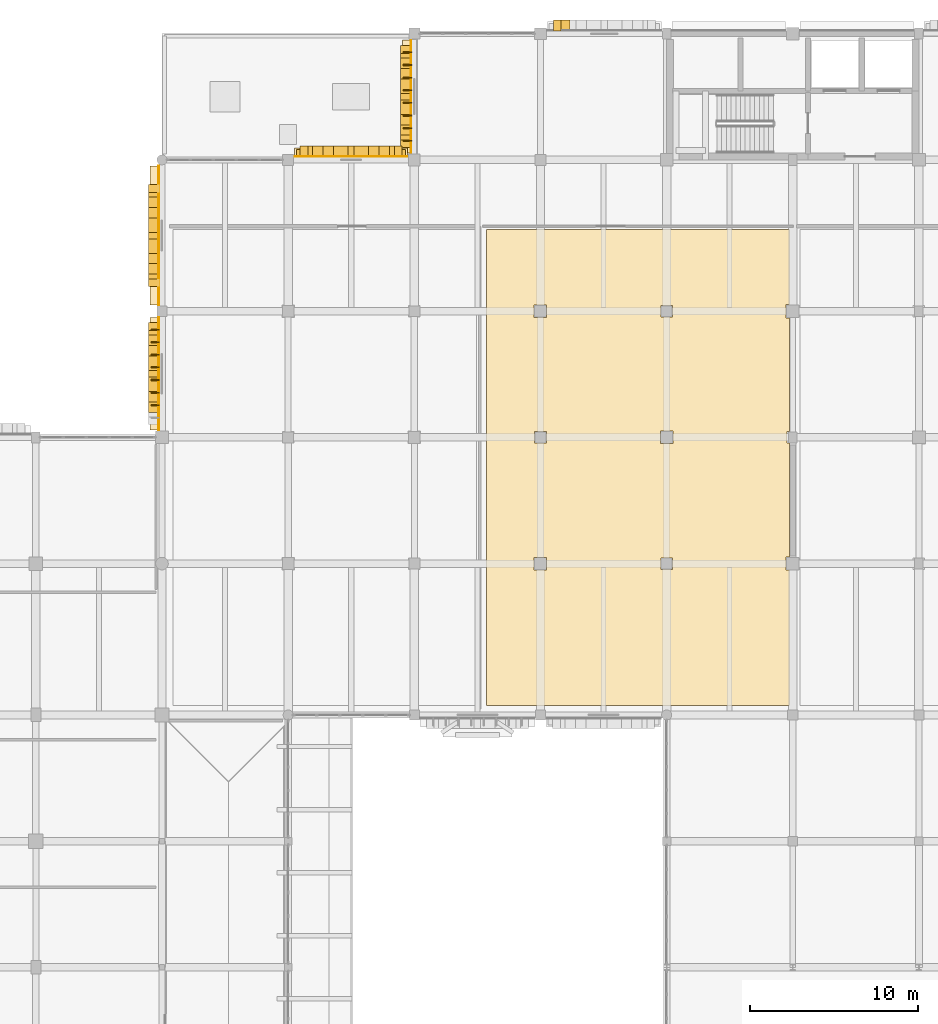
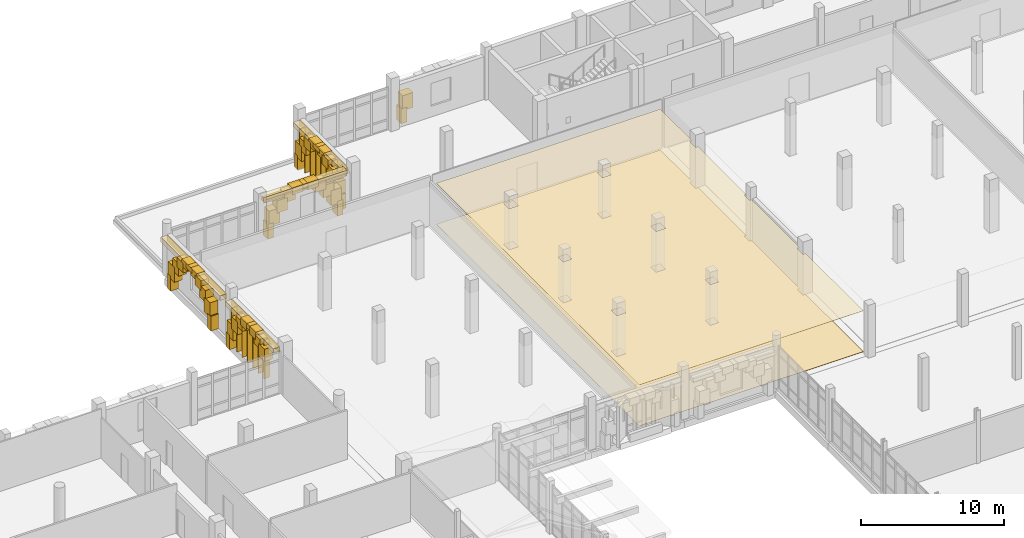
# One storey, part 117 of 128: 54 coverings, 16 shading devices.
"""IFC4 building model written with IfcOpenShell, lengths in metres."""

from ifc_helpers import new_model, si_unit, direction, frame, origin, origin_2d, place, context, subcontext, project, spatial, polyline, rectangle, outline, extrude, material, layer, layer_set, type_object, element, save


model = new_model("IFC4")

# Units and contexts
model_context = context("Model", 3, precision=1e-05, world=origin(), true_north=direction((0.0, 1.0)))
body_context = subcontext(model_context, "Body", "Model", "MODEL_VIEW")
ifc_project = project(units=[si_unit("LENGTHUNIT", "METRE"), si_unit("AREAUNIT", "SQUARE_METRE"), si_unit("VOLUMEUNIT", "CUBIC_METRE"), si_unit("PLANEANGLEUNIT", "RADIAN"), si_unit("MASSUNIT", "GRAM", prefix="KILO")], contexts=[model_context])

# Site, building, storey
site_placement = place(None, origin())
site = spatial("IfcSite", under=ifc_project, at=site_placement, CompositionType="ELEMENT")
building_placement = place(site_placement, origin())
building = spatial("IfcBuilding", under=site, at=building_placement, Name="Dalvernix Boulevard General Hospital", CompositionType="ELEMENT")
storey_placement = place(building_placement, frame((0.0, 0.0, 4.800048828125)))
storey = spatial("IfcBuildingStorey", under=building, at=storey_placement, Name="L01", CompositionType="ELEMENT", Elevation=4.800048828125)

# Coverings
ifc_material_1 = material(Name="Pressed Catalan clay brick and dressed limestone parabolic archivolt", Category="masonry")
ifc_layer_1 = layer(ifc_material_1, 0.419921875)
ifc_layer_set_1 = layer_set([ifc_layer_1], Name="Pressed Catalan clay brick and dressed limestone parabolic archivolt (COV-ARC-01)")
covering_type_1 = type_object("IfcCoveringType", Name="COV-ARC-01", PredefinedType="CLADDING", material=ifc_layer_set_1)
covering_1_placement = place(storey_placement, frame((29.514892578125, 99.58740234375, 0.0), z_axis=(0.0, 0.0, 1.0), x_axis=(0.0, 1.0, 0.0)))
element("IfcCovering", 1, at=covering_1_placement, inside=storey, type_object=covering_type_1, Name="L01 Catalan parabolic arch impost pier W 4-12-R", PredefinedType="CLADDING", context=body_context, shape_type="SweptSolid", body=[
    extrude(rectangle(XDim=0.4599609375, YDim=0.659912109375, at=origin_2d()), origin(), (0.0, 0.0, 1.0), 1.25),
])
covering_2_placement = place(storey_placement, frame((29.514892578125, 94.9208984375, 1.95263671875), z_axis=(0.0, 0.0, 1.0), x_axis=(0.0, 1.0, 0.0)))
element("IfcCovering", 2, at=covering_2_placement, inside=storey, type_object=covering_type_1, Name="L01 Catalan parabolic archivolt voussoir W 4-12-2", PredefinedType="CLADDING", context=body_context, shape_type="SweptSolid", body=[
    extrude(rectangle(XDim=0.8623046875, YDim=0.659912109375, at=origin_2d()), origin(), (0.0, 0.0, 1.0), 1.049560546875),
])
covering_3_placement = place(storey_placement, frame((29.514892578125, 95.543212890625, 2.62255859375), z_axis=(0.0, 0.0, 1.0), x_axis=(0.0, 1.0, 0.0)))
element("IfcCovering", 3, at=covering_3_placement, inside=storey, type_object=covering_type_1, Name="L01 Catalan parabolic archivolt voussoir W 4-12-3", PredefinedType="CLADDING", context=body_context, shape_type="SweptSolid", body=[
    extrude(rectangle(XDim=0.8623046875, YDim=0.659912109375, at=origin_2d()), origin(), (0.0, 0.0, 1.0), 0.826416015625),
])
covering_4_placement = place(storey_placement, frame((29.514892578125, 96.165283203125, 3.06884765625), z_axis=(0.0, 0.0, 1.0), x_axis=(0.0, 1.0, 0.0)))
element("IfcCovering", 4, at=covering_4_placement, inside=storey, type_object=covering_type_1, Name="L01 Catalan parabolic archivolt voussoir W 4-12-4", PredefinedType="CLADDING", context=body_context, shape_type="SweptSolid", body=[
    extrude(rectangle(XDim=0.8623046875, YDim=0.659912109375, at=origin_2d()), origin(), (0.0, 0.0, 1.0), 0.603271484375),
])
covering_5_placement = place(storey_placement, frame((29.514892578125, 96.78759765625, 3.2919921875), z_axis=(0.0, 0.0, 1.0), x_axis=(0.0, 1.0, 0.0)))
element("IfcCovering", 5, at=covering_5_placement, inside=storey, type_object=covering_type_1, Name="L01 Catalan parabolic archivolt voussoir W 4-12-5", PredefinedType="CLADDING", context=body_context, shape_type="SweptSolid", body=[
    extrude(rectangle(XDim=0.8623046875, YDim=0.659912109375, at=origin_2d()), origin(), (0.0, 0.0, 1.0), 0.3798828125),
])
covering_6_placement = place(storey_placement, frame((29.514892578125, 97.40966796875, 3.06884765625), z_axis=(0.0, 0.0, 1.0), x_axis=(0.0, 1.0, 0.0)))
element("IfcCovering", 6, at=covering_6_placement, inside=storey, type_object=covering_type_1, Name="L01 Catalan parabolic archivolt voussoir W 4-12-6", PredefinedType="CLADDING", context=body_context, shape_type="SweptSolid", body=[
    extrude(rectangle(XDim=0.8623046875, YDim=0.659912109375, at=origin_2d()), origin(), (0.0, 0.0, 1.0), 0.603271484375),
])
covering_7_placement = place(storey_placement, frame((29.514892578125, 98.031982421875, 2.62255859375), z_axis=(0.0, 0.0, 1.0), x_axis=(0.0, 1.0, 0.0)))
element("IfcCovering", 7, at=covering_7_placement, inside=storey, type_object=covering_type_1, Name="L01 Catalan parabolic archivolt voussoir W 4-12-7", PredefinedType="CLADDING", context=body_context, shape_type="SweptSolid", body=[
    extrude(rectangle(XDim=0.8623046875, YDim=0.659912109375, at=origin_2d()), origin(), (0.0, 0.0, 1.0), 0.826416015625),
])
covering_8_placement = place(storey_placement, frame((29.514892578125, 98.654296875, 1.95263671875), z_axis=(0.0, 0.0, 1.0), x_axis=(0.0, 1.0, 0.0)))
element("IfcCovering", 8, at=covering_8_placement, inside=storey, type_object=covering_type_1, Name="L01 Catalan parabolic archivolt voussoir W 4-12-8", PredefinedType="CLADDING", context=body_context, shape_type="SweptSolid", body=[
    extrude(rectangle(XDim=0.8623046875, YDim=0.659912109375, at=origin_2d()), origin(), (0.0, 0.0, 1.0), 1.049560546875),
])
covering_9_placement = place(storey_placement, frame((29.514892578125, 99.2763671875, 1.06005859375), z_axis=(0.0, 0.0, 1.0), x_axis=(0.0, 1.0, 0.0)))
element("IfcCovering", 9, at=covering_9_placement, inside=storey, type_object=covering_type_1, Name="L01 Catalan parabolic archivolt voussoir W 4-12-9", PredefinedType="CLADDING", context=body_context, shape_type="SweptSolid", body=[
    extrude(rectangle(XDim=0.8623046875, YDim=0.659912109375, at=origin_2d()), origin(), (0.0, 0.0, 1.0), 1.272705078125),
])
for number, where, z_axis, x_axis, name in (
    (10, (29.514892578125, 102.199951171875, 0.0), (0.0, 0.0, 1.0), (0.0, 1.0, 0.0), "L01 Catalan parabolic arch impost pier W 4-13-L"),
    (11, (29.514892578125, 107.800048828125, 0.0), (0.0, 0.0, 1.0), (0.0, 1.0, 0.0), "L01 Catalan parabolic arch impost pier W 4-13-R"),
):
    element("IfcCovering", number, at=place(storey_placement, frame(where, z_axis=z_axis, x_axis=x_axis)), inside=storey, type_object=covering_type_1, Name=name, PredefinedType="CLADDING", context=body_context, shape_type="SweptSolid", body=[
        extrude(rectangle(XDim=0.4599609375, YDim=0.659912109375, at=origin_2d()), origin(), (0.0, 0.0, 1.0), 1.25),
    ])
covering_10_placement = place(storey_placement, frame((29.514892578125, 102.510986328125, 1.06005859375), z_axis=(0.0, 0.0, 1.0), x_axis=(0.0, 1.0, 0.0)))
element("IfcCovering", 12, at=covering_10_placement, inside=storey, type_object=covering_type_1, Name="L01 Catalan parabolic archivolt voussoir W 4-13-1", PredefinedType="CLADDING", context=body_context, shape_type="SweptSolid", body=[
    extrude(rectangle(XDim=0.8623046875, YDim=0.659912109375, at=origin_2d()), origin(), (0.0, 0.0, 1.0), 1.272705078125),
])
covering_11_placement = place(storey_placement, frame((29.514892578125, 103.13330078125, 1.95263671875), z_axis=(0.0, 0.0, 1.0), x_axis=(0.0, 1.0, 0.0)))
element("IfcCovering", 13, at=covering_11_placement, inside=storey, type_object=covering_type_1, Name="L01 Catalan parabolic archivolt voussoir W 4-13-2", PredefinedType="CLADDING", context=body_context, shape_type="SweptSolid", body=[
    extrude(rectangle(XDim=0.8623046875, YDim=0.659912109375, at=origin_2d()), origin(), (0.0, 0.0, 1.0), 1.049560546875),
])
covering_12_placement = place(storey_placement, frame((29.514892578125, 103.755615234375, 2.62255859375), z_axis=(0.0, 0.0, 1.0), x_axis=(0.0, 1.0, 0.0)))
element("IfcCovering", 14, at=covering_12_placement, inside=storey, type_object=covering_type_1, Name="L01 Catalan parabolic archivolt voussoir W 4-13-3", PredefinedType="CLADDING", context=body_context, shape_type="SweptSolid", body=[
    extrude(rectangle(XDim=0.8623046875, YDim=0.659912109375, at=origin_2d()), origin(), (0.0, 0.0, 1.0), 0.826416015625),
])
covering_13_placement = place(storey_placement, frame((29.514892578125, 104.377685546875, 3.06884765625), z_axis=(0.0, 0.0, 1.0), x_axis=(0.0, 1.0, 0.0)))
element("IfcCovering", 15, at=covering_13_placement, inside=storey, type_object=covering_type_1, Name="L01 Catalan parabolic archivolt voussoir W 4-13-4", PredefinedType="CLADDING", context=body_context, shape_type="SweptSolid", body=[
    extrude(rectangle(XDim=0.8623046875, YDim=0.659912109375, at=origin_2d()), origin(), (0.0, 0.0, 1.0), 0.603271484375),
])
covering_14_placement = place(storey_placement, frame((29.514892578125, 105.0, 3.2919921875), z_axis=(0.0, 0.0, 1.0), x_axis=(0.0, 1.0, 0.0)))
element("IfcCovering", 16, at=covering_14_placement, inside=storey, type_object=covering_type_1, Name="L01 Catalan parabolic archivolt voussoir W 4-13-5", PredefinedType="CLADDING", context=body_context, shape_type="SweptSolid", body=[
    extrude(rectangle(XDim=0.8623046875, YDim=0.659912109375, at=origin_2d()), origin(), (0.0, 0.0, 1.0), 0.3798828125),
])
covering_15_placement = place(storey_placement, frame((29.514892578125, 105.622314453125, 3.06884765625), z_axis=(0.0, 0.0, 1.0), x_axis=(0.0, 1.0, 0.0)))
element("IfcCovering", 17, at=covering_15_placement, inside=storey, type_object=covering_type_1, Name="L01 Catalan parabolic archivolt voussoir W 4-13-6", PredefinedType="CLADDING", context=body_context, shape_type="SweptSolid", body=[
    extrude(rectangle(XDim=0.8623046875, YDim=0.659912109375, at=origin_2d()), origin(), (0.0, 0.0, 1.0), 0.603271484375),
])
covering_16_placement = place(storey_placement, frame((29.514892578125, 106.244384765625, 2.62255859375), z_axis=(0.0, 0.0, 1.0), x_axis=(0.0, 1.0, 0.0)))
element("IfcCovering", 18, at=covering_16_placement, inside=storey, type_object=covering_type_1, Name="L01 Catalan parabolic archivolt voussoir W 4-13-7", PredefinedType="CLADDING", context=body_context, shape_type="SweptSolid", body=[
    extrude(rectangle(XDim=0.8623046875, YDim=0.659912109375, at=origin_2d()), origin(), (0.0, 0.0, 1.0), 0.826416015625),
])
covering_17_placement = place(storey_placement, frame((29.514892578125, 106.86669921875, 1.95263671875), z_axis=(0.0, 0.0, 1.0), x_axis=(0.0, 1.0, 0.0)))
element("IfcCovering", 19, at=covering_17_placement, inside=storey, type_object=covering_type_1, Name="L01 Catalan parabolic archivolt voussoir W 4-13-8", PredefinedType="CLADDING", context=body_context, shape_type="SweptSolid", body=[
    extrude(rectangle(XDim=0.8623046875, YDim=0.659912109375, at=origin_2d()), origin(), (0.0, 0.0, 1.0), 1.049560546875),
])
covering_18_placement = place(storey_placement, frame((29.514892578125, 107.489013671875, 1.06005859375), z_axis=(0.0, 0.0, 1.0), x_axis=(0.0, 1.0, 0.0)))
element("IfcCovering", 20, at=covering_18_placement, inside=storey, type_object=covering_type_1, Name="L01 Catalan parabolic archivolt voussoir W 4-13-9", PredefinedType="CLADDING", context=body_context, shape_type="SweptSolid", body=[
    extrude(rectangle(XDim=0.8623046875, YDim=0.659912109375, at=origin_2d()), origin(), (0.0, 0.0, 1.0), 1.272705078125),
])
for number, where, z_axis, x_axis, name in (
    (21, (38.4375, 109.985107421875, 0.0), (0.0, 0.0, 1.0), (1.0, 0.0, 0.0), "L01 Catalan parabolic arch impost pier N 5-14-L"),
    (22, (44.03759765625, 109.985107421875, 0.0), (0.0, 0.0, 1.0), (1.0, 0.0, 0.0), "L01 Catalan parabolic arch impost pier N 5-14-R"),
):
    element("IfcCovering", number, at=place(storey_placement, frame(where, z_axis=z_axis, x_axis=x_axis)), inside=storey, type_object=covering_type_1, Name=name, PredefinedType="CLADDING", context=body_context, shape_type="SweptSolid", body=[
        extrude(rectangle(XDim=0.4599609375, YDim=0.659912109375, at=origin_2d()), origin(), (0.0, 0.0, 1.0), 1.25),
    ])
covering_19_placement = place(storey_placement, frame((38.74853515625, 109.985107421875, 1.06005859375), z_axis=(0.0, 0.0, 1.0), x_axis=(1.0, 0.0, 0.0)))
element("IfcCovering", 23, at=covering_19_placement, inside=storey, type_object=covering_type_1, Name="L01 Catalan parabolic archivolt voussoir N 5-14-1", PredefinedType="CLADDING", context=body_context, shape_type="SweptSolid", body=[
    extrude(rectangle(XDim=0.8623046875, YDim=0.659912109375, at=origin_2d()), origin(), (0.0, 0.0, 1.0), 1.272705078125),
])
covering_20_placement = place(storey_placement, frame((39.370849609375, 109.985107421875, 1.95263671875), z_axis=(0.0, 0.0, 1.0), x_axis=(1.0, 0.0, 0.0)))
element("IfcCovering", 24, at=covering_20_placement, inside=storey, type_object=covering_type_1, Name="L01 Catalan parabolic archivolt voussoir N 5-14-2", PredefinedType="CLADDING", context=body_context, shape_type="SweptSolid", body=[
    extrude(rectangle(XDim=0.8623046875, YDim=0.659912109375, at=origin_2d()), origin(), (0.0, 0.0, 1.0), 1.049560546875),
])
covering_21_placement = place(storey_placement, frame((39.9931640625, 109.985107421875, 2.62255859375), z_axis=(0.0, 0.0, 1.0), x_axis=(1.0, 0.0, 0.0)))
element("IfcCovering", 25, at=covering_21_placement, inside=storey, type_object=covering_type_1, Name="L01 Catalan parabolic archivolt voussoir N 5-14-3", PredefinedType="CLADDING", context=body_context, shape_type="SweptSolid", body=[
    extrude(rectangle(XDim=0.8623046875, YDim=0.659912109375, at=origin_2d()), origin(), (0.0, 0.0, 1.0), 0.826416015625),
])
covering_22_placement = place(storey_placement, frame((40.615234375, 109.985107421875, 3.06884765625), z_axis=(0.0, 0.0, 1.0), x_axis=(1.0, 0.0, 0.0)))
element("IfcCovering", 26, at=covering_22_placement, inside=storey, type_object=covering_type_1, Name="L01 Catalan parabolic archivolt voussoir N 5-14-4", PredefinedType="CLADDING", context=body_context, shape_type="SweptSolid", body=[
    extrude(rectangle(XDim=0.8623046875, YDim=0.659912109375, at=origin_2d()), origin(), (0.0, 0.0, 1.0), 0.603271484375),
])
covering_23_placement = place(storey_placement, frame((41.237548828125, 109.985107421875, 3.2919921875), z_axis=(0.0, 0.0, 1.0), x_axis=(1.0, 0.0, 0.0)))
element("IfcCovering", 27, at=covering_23_placement, inside=storey, type_object=covering_type_1, Name="L01 Catalan parabolic archivolt voussoir N 5-14-5", PredefinedType="CLADDING", context=body_context, shape_type="SweptSolid", body=[
    extrude(rectangle(XDim=0.8623046875, YDim=0.659912109375, at=origin_2d()), origin(), (0.0, 0.0, 1.0), 0.3798828125),
])
covering_24_placement = place(storey_placement, frame((41.859619140625, 109.985107421875, 3.06884765625), z_axis=(0.0, 0.0, 1.0), x_axis=(1.0, 0.0, 0.0)))
element("IfcCovering", 28, at=covering_24_placement, inside=storey, type_object=covering_type_1, Name="L01 Catalan parabolic archivolt voussoir N 5-14-6", PredefinedType="CLADDING", context=body_context, shape_type="SweptSolid", body=[
    extrude(rectangle(XDim=0.8623046875, YDim=0.659912109375, at=origin_2d()), origin(), (0.0, 0.0, 1.0), 0.603271484375),
])
covering_25_placement = place(storey_placement, frame((42.48193359375, 109.985107421875, 2.62255859375), z_axis=(0.0, 0.0, 1.0), x_axis=(1.0, 0.0, 0.0)))
element("IfcCovering", 29, at=covering_25_placement, inside=storey, type_object=covering_type_1, Name="L01 Catalan parabolic archivolt voussoir N 5-14-7", PredefinedType="CLADDING", context=body_context, shape_type="SweptSolid", body=[
    extrude(rectangle(XDim=0.8623046875, YDim=0.659912109375, at=origin_2d()), origin(), (0.0, 0.0, 1.0), 0.826416015625),
])
covering_26_placement = place(storey_placement, frame((43.104248046875, 109.985107421875, 1.95263671875), z_axis=(0.0, 0.0, 1.0), x_axis=(1.0, 0.0, 0.0)))
element("IfcCovering", 30, at=covering_26_placement, inside=storey, type_object=covering_type_1, Name="L01 Catalan parabolic archivolt voussoir N 5-14-8", PredefinedType="CLADDING", context=body_context, shape_type="SweptSolid", body=[
    extrude(rectangle(XDim=0.8623046875, YDim=0.659912109375, at=origin_2d()), origin(), (0.0, 0.0, 1.0), 1.049560546875),
])
covering_27_placement = place(storey_placement, frame((43.726318359375, 109.985107421875, 1.06005859375), z_axis=(0.0, 0.0, 1.0), x_axis=(1.0, 0.0, 0.0)))
element("IfcCovering", 31, at=covering_27_placement, inside=storey, type_object=covering_type_1, Name="L01 Catalan parabolic archivolt voussoir N 5-14-9", PredefinedType="CLADDING", context=body_context, shape_type="SweptSolid", body=[
    extrude(rectangle(XDim=0.8623046875, YDim=0.659912109375, at=origin_2d()), origin(), (0.0, 0.0, 1.0), 1.272705078125),
])
for number, where, z_axis, x_axis, name in (
    (32, (44.514892578125, 110.46240234375, 0.0), (0.0, 0.0, 1.0), (0.0, 1.0, 0.0), "L01 Catalan parabolic arch impost pier W 6-14-L"),
    (33, (44.514892578125, 116.0625, 0.0), (0.0, 0.0, 1.0), (0.0, 1.0, 0.0), "L01 Catalan parabolic arch impost pier W 6-14-R"),
):
    element("IfcCovering", number, at=place(storey_placement, frame(where, z_axis=z_axis, x_axis=x_axis)), inside=storey, type_object=covering_type_1, Name=name, PredefinedType="CLADDING", context=body_context, shape_type="SweptSolid", body=[
        extrude(rectangle(XDim=0.4599609375, YDim=0.659912109375, at=origin_2d()), origin(), (0.0, 0.0, 1.0), 1.25),
    ])
covering_28_placement = place(storey_placement, frame((44.514892578125, 110.773681640625, 1.06005859375), z_axis=(0.0, 0.0, 1.0), x_axis=(0.0, 1.0, 0.0)))
element("IfcCovering", 34, at=covering_28_placement, inside=storey, type_object=covering_type_1, Name="L01 Catalan parabolic archivolt voussoir W 6-14-1", PredefinedType="CLADDING", context=body_context, shape_type="SweptSolid", body=[
    extrude(rectangle(XDim=0.8623046875, YDim=0.659912109375, at=origin_2d()), origin(), (0.0, 0.0, 1.0), 1.272705078125),
])
covering_29_placement = place(storey_placement, frame((44.514892578125, 111.395751953125, 1.95263671875), z_axis=(0.0, 0.0, 1.0), x_axis=(0.0, 1.0, 0.0)))
element("IfcCovering", 35, at=covering_29_placement, inside=storey, type_object=covering_type_1, Name="L01 Catalan parabolic archivolt voussoir W 6-14-2", PredefinedType="CLADDING", context=body_context, shape_type="SweptSolid", body=[
    extrude(rectangle(XDim=0.8623046875, YDim=0.659912109375, at=origin_2d()), origin(), (0.0, 0.0, 1.0), 1.049560546875),
])
covering_30_placement = place(storey_placement, frame((44.514892578125, 112.01806640625, 2.62255859375), z_axis=(0.0, 0.0, 1.0), x_axis=(0.0, 1.0, 0.0)))
element("IfcCovering", 36, at=covering_30_placement, inside=storey, type_object=covering_type_1, Name="L01 Catalan parabolic archivolt voussoir W 6-14-3", PredefinedType="CLADDING", context=body_context, shape_type="SweptSolid", body=[
    extrude(rectangle(XDim=0.8623046875, YDim=0.659912109375, at=origin_2d()), origin(), (0.0, 0.0, 1.0), 0.826416015625),
])
covering_31_placement = place(storey_placement, frame((44.514892578125, 112.640380859375, 3.06884765625), z_axis=(0.0, 0.0, 1.0), x_axis=(0.0, 1.0, 0.0)))
element("IfcCovering", 37, at=covering_31_placement, inside=storey, type_object=covering_type_1, Name="L01 Catalan parabolic archivolt voussoir W 6-14-4", PredefinedType="CLADDING", context=body_context, shape_type="SweptSolid", body=[
    extrude(rectangle(XDim=0.8623046875, YDim=0.659912109375, at=origin_2d()), origin(), (0.0, 0.0, 1.0), 0.603271484375),
])
covering_32_placement = place(storey_placement, frame((44.514892578125, 113.262451171875, 3.2919921875), z_axis=(0.0, 0.0, 1.0), x_axis=(0.0, 1.0, 0.0)))
element("IfcCovering", 38, at=covering_32_placement, inside=storey, type_object=covering_type_1, Name="L01 Catalan parabolic archivolt voussoir W 6-14-5", PredefinedType="CLADDING", context=body_context, shape_type="SweptSolid", body=[
    extrude(rectangle(XDim=0.8623046875, YDim=0.659912109375, at=origin_2d()), origin(), (0.0, 0.0, 1.0), 0.3798828125),
])
covering_33_placement = place(storey_placement, frame((44.514892578125, 113.884765625, 3.06884765625), z_axis=(0.0, 0.0, 1.0), x_axis=(0.0, 1.0, 0.0)))
element("IfcCovering", 39, at=covering_33_placement, inside=storey, type_object=covering_type_1, Name="L01 Catalan parabolic archivolt voussoir W 6-14-6", PredefinedType="CLADDING", context=body_context, shape_type="SweptSolid", body=[
    extrude(rectangle(XDim=0.8623046875, YDim=0.659912109375, at=origin_2d()), origin(), (0.0, 0.0, 1.0), 0.603271484375),
])
covering_34_placement = place(storey_placement, frame((44.514892578125, 114.5068359375, 2.62255859375), z_axis=(0.0, 0.0, 1.0), x_axis=(0.0, 1.0, 0.0)))
element("IfcCovering", 40, at=covering_34_placement, inside=storey, type_object=covering_type_1, Name="L01 Catalan parabolic archivolt voussoir W 6-14-7", PredefinedType="CLADDING", context=body_context, shape_type="SweptSolid", body=[
    extrude(rectangle(XDim=0.8623046875, YDim=0.659912109375, at=origin_2d()), origin(), (0.0, 0.0, 1.0), 0.826416015625),
])
covering_35_placement = place(storey_placement, frame((44.514892578125, 115.129150390625, 1.95263671875), z_axis=(0.0, 0.0, 1.0), x_axis=(0.0, 1.0, 0.0)))
element("IfcCovering", 41, at=covering_35_placement, inside=storey, type_object=covering_type_1, Name="L01 Catalan parabolic archivolt voussoir W 6-14-8", PredefinedType="CLADDING", context=body_context, shape_type="SweptSolid", body=[
    extrude(rectangle(XDim=0.8623046875, YDim=0.659912109375, at=origin_2d()), origin(), (0.0, 0.0, 1.0), 1.049560546875),
])
covering_36_placement = place(storey_placement, frame((44.514892578125, 115.75146484375, 1.06005859375), z_axis=(0.0, 0.0, 1.0), x_axis=(0.0, 1.0, 0.0)))
element("IfcCovering", 42, at=covering_36_placement, inside=storey, type_object=covering_type_1, Name="L01 Catalan parabolic archivolt voussoir W 6-14-9", PredefinedType="CLADDING", context=body_context, shape_type="SweptSolid", body=[
    extrude(rectangle(XDim=0.8623046875, YDim=0.659912109375, at=origin_2d()), origin(), (0.0, 0.0, 1.0), 1.272705078125),
])
covering_37_placement = place(storey_placement, frame((53.5, 117.485107421875, 0.0), z_axis=(0.0, 0.0, 1.0), x_axis=(1.0, 0.0, 0.0)))
element("IfcCovering", 43, at=covering_37_placement, inside=storey, type_object=covering_type_1, Name="L01 Catalan parabolic arch impost pier N 7-15-L", PredefinedType="CLADDING", context=body_context, shape_type="SweptSolid", body=[
    extrude(rectangle(XDim=0.4599609375, YDim=0.659912109375, at=origin_2d()), origin(), (0.0, 0.0, 1.0), 1.25),
])
covering_38_placement = place(storey_placement, frame((53.81103515625, 117.485107421875, 1.06005859375), z_axis=(0.0, 0.0, 1.0), x_axis=(1.0, 0.0, 0.0)))
element("IfcCovering", 44, at=covering_38_placement, inside=storey, type_object=covering_type_1, Name="L01 Catalan parabolic archivolt voussoir N 7-15-1", PredefinedType="CLADDING", context=body_context, shape_type="SweptSolid", body=[
    extrude(rectangle(XDim=0.8623046875, YDim=0.659912109375, at=origin_2d()), origin(), (0.0, 0.0, 1.0), 1.272705078125),
])
ifc_material_2 = material(Name="Antimicrobial acoustic mineral-fibre suspended ceiling")
ifc_layer_2 = layer(ifc_material_2, 0.02490234375)
ifc_layer_set_2 = layer_set([ifc_layer_2], Name="Antimicrobial acoustic mineral-fibre suspended ceiling (COV-CEIL-01)")
covering_type_2 = type_object("IfcCoveringType", Name="COV-CEIL-01", PredefinedType="CEILING", material=ifc_layer_set_2)
covering_39_placement = place(storey_placement, frame((0.0, 0.0, 3.474853515625)))
element("IfcCovering", 45, at=covering_39_placement, inside=storey, type_object=covering_type_2, Name="L01 Clinical Pathology and Microbiology Laboratory 01 hygienic suspended ceiling", PredefinedType="CEILING", context=body_context, shape_type="SweptSolid", body=[
    extrude(outline(polyline([(67.155029296875, 93.344970703125), (67.155029296875, 92.655029296875), (67.316650390625, 92.655029296875), (67.316650390625, 85.89501953125), (67.10498046875, 85.89501953125), (67.10498046875, 85.10498046875), (67.316650390625, 85.10498046875), (67.316650390625, 77.050048828125), (49.283203125, 77.050048828125), (49.283203125, 105.35009765625), (67.316650390625, 105.35009765625), (67.316650390625, 100.89501953125), (67.10498046875, 100.89501953125), (67.10498046875, 100.10498046875), (67.316650390625, 100.10498046875), (67.316650390625, 93.344970703125), (67.155029296875, 93.344970703125)]), holes=[polyline([(52.8701171875, 85.8701171875), (52.1298828125, 85.8701171875), (52.1298828125, 85.1298828125), (52.8701171875, 85.1298828125), (52.8701171875, 85.8701171875)]), polyline([(52.844970703125, 92.655029296875), (52.844970703125, 93.344970703125), (52.155029296875, 93.344970703125), (52.155029296875, 92.655029296875), (52.844970703125, 92.655029296875)]), polyline([(52.1298828125, 100.1298828125), (52.8701171875, 100.1298828125), (52.8701171875, 100.8701171875), (52.1298828125, 100.8701171875), (52.1298828125, 100.1298828125)]), polyline([(59.655029296875, 85.844970703125), (59.655029296875, 85.155029296875), (60.344970703125, 85.155029296875), (60.344970703125, 85.844970703125), (59.655029296875, 85.844970703125)]), polyline([(60.3701171875, 93.3701171875), (59.6298828125, 93.3701171875), (59.6298828125, 92.6298828125), (60.3701171875, 92.6298828125), (60.3701171875, 93.3701171875)]), polyline([(60.344970703125, 100.155029296875), (60.344970703125, 100.844970703125), (59.655029296875, 100.844970703125), (59.655029296875, 100.155029296875), (60.344970703125, 100.155029296875)])]), origin(), (0.0, 0.0, 1.0), 0.025146484375),
])
ifc_material_3 = material(Name="Polychrome Catalan glazed ceramic spandrel tile panel")
ifc_layer_3 = layer(ifc_material_3, 0.044921875)
ifc_layer_set_3 = layer_set([ifc_layer_3], Name="Polychrome Catalan glazed ceramic spandrel tile panel (COV-CLD-01)")
covering_type_3 = type_object("IfcCoveringType", Name="COV-CLD-01", PredefinedType="CLADDING", material=ifc_layer_set_3)
covering_40_placement = place(storey_placement, frame((29.804931640625, 96.78759765625, 3.15478515625), z_axis=(0.0, 0.0, 1.0), x_axis=(0.0, 1.0, 0.0)))
element("IfcCovering", 46, at=covering_40_placement, inside=storey, type_object=covering_type_3, Name="L01 polychrome ceramic spandrel W 4-12", PredefinedType="CLADDING", context=body_context, shape_type="SweptSolid", body=[
    extrude(rectangle(XDim=6.705078125, YDim=0.044921875, at=origin_2d()), origin(), (0.0, 0.0, 1.0), 0.449951171875),
])
covering_41_placement = place(storey_placement, frame((29.804931640625, 105.0, 3.15478515625), z_axis=(0.0, 0.0, 1.0), x_axis=(0.0, 1.0, 0.0)))
element("IfcCovering", 47, at=covering_41_placement, inside=storey, type_object=covering_type_3, Name="L01 polychrome ceramic spandrel W 4-13", PredefinedType="CLADDING", context=body_context, shape_type="SweptSolid", body=[
    extrude(rectangle(XDim=8.280029296875, YDim=0.044921875, at=origin_2d()), origin(), (0.0, 0.0, 1.0), 0.449951171875),
])
for number, where, z_axis, x_axis, name in (
    (48, (41.237548828125, 109.695068359375, 3.15478515625), (0.0, 0.0, 1.0), (1.0, 0.0, 0.0), "L01 polychrome ceramic spandrel N 5-14"),
    (49, (44.804931640625, 113.262451171875, 3.15478515625), (0.0, 0.0, 1.0), (0.0, 1.0, 0.0), "L01 polychrome ceramic spandrel W 6-14"),
):
    element("IfcCovering", number, at=place(storey_placement, frame(where, z_axis=z_axis, x_axis=x_axis)), inside=storey, type_object=covering_type_3, Name=name, PredefinedType="CLADDING", context=body_context, shape_type="SweptSolid", body=[
        extrude(rectangle(XDim=6.705078125, YDim=0.044921875, at=origin_2d()), origin(), (0.0, 0.0, 1.0), 0.449951171875),
    ])
ifc_material_4 = material(Name="Dressed ochre limestone classical plinth, stringcourse and corbelled cornice", Category="masonry")
ifc_layer_4 = layer(ifc_material_4, 0.449951171875)
ifc_layer_set_4 = layer_set([ifc_layer_4], Name="Dressed ochre limestone classical plinth, stringcourse and corbelled cornice (COV-CRN-01)")
covering_type_4 = type_object("IfcCoveringType", Name="COV-CRN-01", PredefinedType="CLADDING", material=ifc_layer_set_4)
covering_42_placement = place(storey_placement, frame((29.56494140625, 96.78759765625, 3.22998046875), z_axis=(0.0, 0.0, 1.0), x_axis=(0.0, 1.0, 0.0)))
element("IfcCovering", 50, at=covering_42_placement, inside=storey, type_object=covering_type_4, Name="L01 classical corbelled cornice frieze W 4-12", PredefinedType="CLADDING", context=body_context, shape_type="SweptSolid", body=[
    extrude(rectangle(XDim=6.705078125, YDim=0.56005859375, at=origin_2d()), origin(), (0.0, 0.0, 1.0), 0.39990234375),
])
covering_43_placement = place(storey_placement, frame((29.56494140625, 105.0, 3.22998046875), z_axis=(0.0, 0.0, 1.0), x_axis=(0.0, 1.0, 0.0)))
element("IfcCovering", 51, at=covering_43_placement, inside=storey, type_object=covering_type_4, Name="L01 classical corbelled cornice frieze W 4-13", PredefinedType="CLADDING", context=body_context, shape_type="SweptSolid", body=[
    extrude(rectangle(XDim=8.280029296875, YDim=0.56005859375, at=origin_2d()), origin(), (0.0, 0.0, 1.0), 0.39990234375),
])
for number, where, z_axis, x_axis, name in (
    (52, (41.237548828125, 109.93505859375, 3.22998046875), (0.0, 0.0, 1.0), (1.0, 0.0, 0.0), "L01 classical corbelled cornice frieze N 5-14"),
    (53, (44.56494140625, 113.262451171875, 3.22998046875), (0.0, 0.0, 1.0), (0.0, 1.0, 0.0), "L01 classical corbelled cornice frieze W 6-14"),
):
    element("IfcCovering", number, at=place(storey_placement, frame(where, z_axis=z_axis, x_axis=x_axis)), inside=storey, type_object=covering_type_4, Name=name, PredefinedType="CLADDING", context=body_context, shape_type="SweptSolid", body=[
        extrude(rectangle(XDim=6.705078125, YDim=0.56005859375, at=origin_2d()), origin(), (0.0, 0.0, 1.0), 0.39990234375),
    ])
ifc_material_5 = material(Name="Seamless welded medical vinyl and polished terrazzo flooring")
ifc_layer_5 = layer(ifc_material_5, 0.014892578125)
ifc_layer_set_5 = layer_set([ifc_layer_5], Name="Seamless welded medical vinyl and polished terrazzo flooring (COV-FLR-01)")
covering_type_5 = type_object("IfcCoveringType", Name="COV-FLR-01", PredefinedType="FLOORING", material=ifc_layer_set_5)
covering_44_placement = place(storey_placement, origin())
element("IfcCovering", 54, at=covering_44_placement, inside=storey, type_object=covering_type_5, Name="L01 Clinical Pathology and Microbiology Laboratory 01 seamless clinical flooring", PredefinedType="FLOORING", context=body_context, shape_type="SweptSolid", body=[
    extrude(outline(polyline([(67.155029296875, 93.344970703125), (67.155029296875, 92.655029296875), (67.316650390625, 92.655029296875), (67.316650390625, 85.89501953125), (67.10498046875, 85.89501953125), (67.10498046875, 85.10498046875), (67.316650390625, 85.10498046875), (67.316650390625, 77.050048828125), (49.283203125, 77.050048828125), (49.283203125, 105.35009765625), (67.316650390625, 105.35009765625), (67.316650390625, 100.89501953125), (67.10498046875, 100.89501953125), (67.10498046875, 100.10498046875), (67.316650390625, 100.10498046875), (67.316650390625, 93.344970703125), (67.155029296875, 93.344970703125)]), holes=[polyline([(52.8701171875, 85.8701171875), (52.1298828125, 85.8701171875), (52.1298828125, 85.1298828125), (52.8701171875, 85.1298828125), (52.8701171875, 85.8701171875)]), polyline([(52.844970703125, 92.655029296875), (52.844970703125, 93.344970703125), (52.155029296875, 93.344970703125), (52.155029296875, 92.655029296875), (52.844970703125, 92.655029296875)]), polyline([(52.1298828125, 100.1298828125), (52.8701171875, 100.1298828125), (52.8701171875, 100.8701171875), (52.1298828125, 100.8701171875), (52.1298828125, 100.1298828125)]), polyline([(59.655029296875, 85.844970703125), (59.655029296875, 85.155029296875), (60.344970703125, 85.155029296875), (60.344970703125, 85.844970703125), (59.655029296875, 85.844970703125)]), polyline([(60.3701171875, 93.3701171875), (59.6298828125, 93.3701171875), (59.6298828125, 92.6298828125), (60.3701171875, 92.6298828125), (60.3701171875, 93.3701171875)]), polyline([(60.344970703125, 100.155029296875), (60.344970703125, 100.844970703125), (59.655029296875, 100.844970703125), (59.655029296875, 100.155029296875), (60.344970703125, 100.155029296875)])]), origin(), (0.0, 0.0, 1.0), 0.014892578125),
])

# Shading devices
ifc_material_6 = material(Name="Preservative-treated West African iroko timber", Category="wood")
shading_device_type_1 = type_object("IfcShadingDeviceType", Name="SHD-FIN-01", PredefinedType="USERDEFINED", material=ifc_material_6)
for number, where, z_axis, x_axis, name in (
    (55, (29.594970703125, 94.91259765625, 0.1748046875), (0.0, 0.0, 1.0), (0.0, 1.0, 0.0), "L01 iroko brise-soleil fin 2"),
    (56, (29.594970703125, 95.66259765625, 0.1748046875), (0.0, 0.0, 1.0), (0.0, 1.0, 0.0), "L01 iroko brise-soleil fin 3"),
    (57, (29.594970703125, 96.41259765625, 0.1748046875), (0.0, 0.0, 1.0), (0.0, 1.0, 0.0), "L01 iroko brise-soleil fin 4"),
    (58, (29.594970703125, 97.16259765625, 0.1748046875), (0.0, 0.0, 1.0), (0.0, 1.0, 0.0), "L01 iroko brise-soleil fin 5"),
    (59, (29.594970703125, 97.91259765625, 0.1748046875), (0.0, 0.0, 1.0), (0.0, 1.0, 0.0), "L01 iroko brise-soleil fin 6"),
    (60, (29.594970703125, 98.66259765625, 0.1748046875), (0.0, 0.0, 1.0), (0.0, 1.0, 0.0), "L01 iroko brise-soleil fin 7"),
    (61, (29.594970703125, 99.41259765625, 0.1748046875), (0.0, 0.0, 1.0), (0.0, 1.0, 0.0), "L01 iroko brise-soleil fin 8"),
    (62, (44.594970703125, 110.637451171875, 0.1748046875), (0.0, 0.0, 1.0), (0.0, 1.0, 0.0), "L01 iroko brise-soleil fin 1"),
    (63, (44.594970703125, 111.387451171875, 0.1748046875), (0.0, 0.0, 1.0), (0.0, 1.0, 0.0), "L01 iroko brise-soleil fin 2"),
    (64, (44.594970703125, 112.137451171875, 0.1748046875), (0.0, 0.0, 1.0), (0.0, 1.0, 0.0), "L01 iroko brise-soleil fin 3"),
    (65, (44.594970703125, 112.887451171875, 0.1748046875), (0.0, 0.0, 1.0), (0.0, 1.0, 0.0), "L01 iroko brise-soleil fin 4"),
    (66, (44.594970703125, 113.637451171875, 0.1748046875), (0.0, 0.0, 1.0), (0.0, 1.0, 0.0), "L01 iroko brise-soleil fin 5"),
    (67, (44.594970703125, 114.387451171875, 0.1748046875), (0.0, 0.0, 1.0), (0.0, 1.0, 0.0), "L01 iroko brise-soleil fin 6"),
    (68, (44.594970703125, 115.137451171875, 0.1748046875), (0.0, 0.0, 1.0), (0.0, 1.0, 0.0), "L01 iroko brise-soleil fin 7"),
    (69, (44.594970703125, 115.887451171875, 0.1748046875), (0.0, 0.0, 1.0), (0.0, 1.0, 0.0), "L01 iroko brise-soleil fin 8"),
):
    element("IfcShadingDevice", number, at=place(storey_placement, frame(where, z_axis=z_axis, x_axis=x_axis)), inside=storey, type_object=shading_device_type_1, Name=name, ObjectType="FIN", PredefinedType="USERDEFINED", context=body_context, shape_type="SweptSolid", body=[
        extrude(rectangle(XDim=0.06494140625, YDim=0.47998046875, at=origin_2d()), origin(), (0.0, 0.0, 1.0), 3.280029296875),
    ])
ifc_material_7 = material(Name="Extruded aluminium solar jalousie louvre bank", Category="aluminium")
shading_device_type_2 = type_object("IfcShadingDeviceType", Name="SHD-JAL-01", PredefinedType="JALOUSIE", material=ifc_material_7)
shading_device_placement = place(storey_placement, frame((41.237548828125, 109.885009765625, 3.1298828125), z_axis=(0.0, 0.0, 1.0), x_axis=(1.0, 0.0, 0.0)))
element("IfcShadingDevice", 70, at=shading_device_placement, inside=storey, type_object=shading_device_type_2, Name="L01 solar jalousie louvre N 5-14", PredefinedType="JALOUSIE", context=body_context, shape_type="SweptSolid", body=[
    extrude(rectangle(XDim=6.5048828125, YDim=0.449951171875, at=origin_2d()), origin(), (0.0, 0.0, 1.0), 0.300048828125),
])

save(model, "model.ifc")
